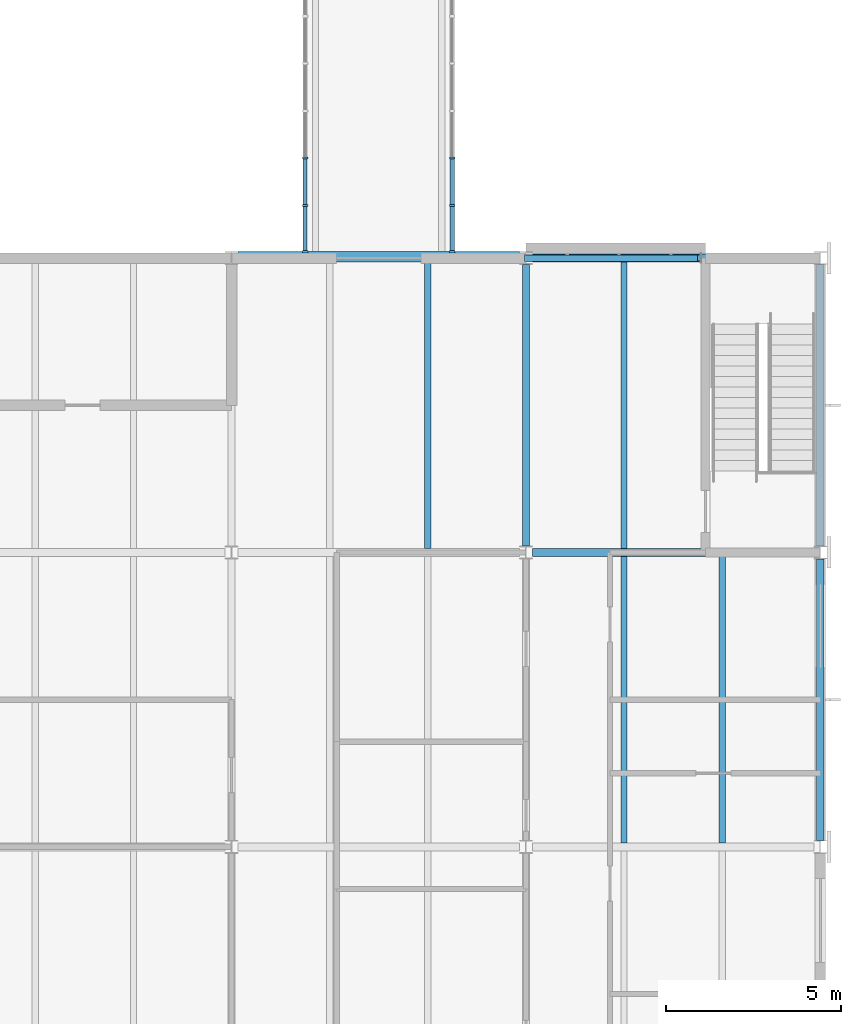
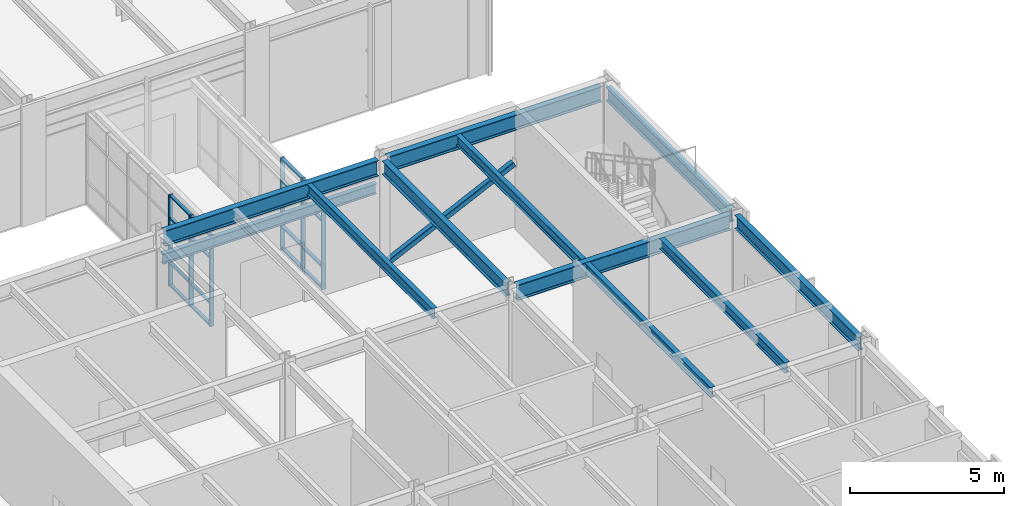
# One storey, part 49 of 127: 23 members, 11 beams, 2 elements without a shape of their own.
"""IFC4 building model written with IfcOpenShell, lengths in metres."""

from ifc_helpers import new_model, si_unit, direction, frame, origin, origin_2d, place, context, subcontext, project, spatial, rectangle, hollow_rectangle, i_section, extrude, material, material_profile, profile_set, type_object, element, aggregate, save


model = new_model("IFC4")

# Units and contexts
model_context = context("Model", 3, precision=1e-05, world=origin(), true_north=direction((0.0, 1.0)))
body_context = subcontext(model_context, "Body", "Model", "MODEL_VIEW")
ifc_project = project(units=[si_unit("LENGTHUNIT", "METRE"), si_unit("AREAUNIT", "SQUARE_METRE"), si_unit("VOLUMEUNIT", "CUBIC_METRE"), si_unit("PLANEANGLEUNIT", "RADIAN"), si_unit("MASSUNIT", "GRAM", prefix="KILO")], contexts=[model_context])

# Site, building, storey
site_placement = place(None, origin())
site = spatial("IfcSite", under=ifc_project, at=site_placement, CompositionType="ELEMENT")
building_placement = place(site_placement, origin())
building = spatial("IfcBuilding", under=site, at=building_placement, Name="Ljudholm Concert House", CompositionType="ELEMENT")
storey_placement = place(building_placement, frame((0.0, 0.0, 5.39990234375)))
storey = spatial("IfcBuildingStorey", under=building, at=storey_placement, Name="L01", CompositionType="ELEMENT", Elevation=5.39990234375)

# Curtain wall, members
ifc_material_1 = material(Name="Aluminium curtain wall with impact-rated laminated glass", Category="aluminium")
curtain_wall_type = type_object("IfcCurtainWallType", Name="CURTAIN WALL 1350", PredefinedType="NOTDEFINED", material=ifc_material_1)
curtain_wall_1_placement = place(storey_placement, origin())
curtain_wall_1 = element("IfcCurtainWall", 1, at=curtain_wall_1_placement, inside=storey, type_object=curtain_wall_type, Name="Bridge curtain wall", PredefinedType="NOTDEFINED")
ifc_material_2 = material(Name="Aluminium extrusion", Category="aluminium")
ifc_material_profile_1 = material_profile(ifc_material_2, rectangle(XDim=0.159912109375, YDim=0.06005859375, at=origin_2d()), Name="MULLION 60x160")
ifc_profile_set_1 = profile_set([ifc_material_profile_1], Name="Aluminium extrusion")
member_type_1 = type_object("IfcMemberType", Name="MULLION 60x160", PredefinedType="MULLION", material=ifc_profile_set_1)
member_1_placement = place(storey_placement, frame((106.89990234375, 96.580078125, 0.0), z_axis=(0.0, 0.0, 1.0), x_axis=(-1.0, 0.0, 0.0)))
member_1 = element("IfcMember", 2, at=member_1_placement, type_object=member_type_1, Name="Mullion", PredefinedType="MULLION", context=body_context, shape_type="SweptSolid", body=[
    extrude(rectangle(XDim=0.159912109375, YDim=0.06005859375, at=origin_2d()), origin(), (0.0, 0.0, 1.0), 3.6201171875),
])
member_2_placement = place(storey_placement, frame((106.89990234375, 97.89990234375, 0.0), z_axis=(0.0, 0.0, 1.0), x_axis=(-1.0, 0.0, 0.0)))
member_2 = element("IfcMember", 3, at=member_2_placement, type_object=member_type_1, Name="Mullion", PredefinedType="MULLION", context=body_context, shape_type="SweptSolid", body=[
    extrude(rectangle(XDim=0.159912109375, YDim=0.06005859375, at=origin_2d()), origin(), (0.0, 0.0, 1.0), 3.6201171875),
])
member_3_placement = place(storey_placement, frame((106.89990234375, 99.25, 0.0), z_axis=(0.0, 0.0, 1.0), x_axis=(-1.0, 0.0, 0.0)))
member_3 = element("IfcMember", 4, at=member_3_placement, type_object=member_type_1, Name="Mullion", PredefinedType="MULLION", context=body_context, shape_type="SweptSolid", body=[
    extrude(rectangle(XDim=0.159912109375, YDim=0.06005859375, at=origin_2d()), origin(), (0.0, 0.0, 1.0), 3.6201171875),
])

curtain_wall_2_placement = place(storey_placement, origin())
curtain_wall_2 = element("IfcCurtainWall", 5, at=curtain_wall_2_placement, inside=storey, type_object=curtain_wall_type, Name="Bridge curtain wall", PredefinedType="NOTDEFINED")
member_4_placement = place(storey_placement, frame((111.10009765625, 96.580078125, 0.0), z_axis=(0.0, 0.0, 1.0), x_axis=(-1.0, 0.0, 0.0)))
member_4 = element("IfcMember", 6, at=member_4_placement, type_object=member_type_1, Name="Mullion", PredefinedType="MULLION", context=body_context, shape_type="SweptSolid", body=[
    extrude(rectangle(XDim=0.159912109375, YDim=0.06005859375, at=origin_2d()), origin(), (0.0, 0.0, 1.0), 3.6201171875),
])
member_5_placement = place(storey_placement, frame((111.10009765625, 97.89990234375, 0.0), z_axis=(0.0, 0.0, 1.0), x_axis=(-1.0, 0.0, 0.0)))
member_5 = element("IfcMember", 7, at=member_5_placement, type_object=member_type_1, Name="Mullion", PredefinedType="MULLION", context=body_context, shape_type="SweptSolid", body=[
    extrude(rectangle(XDim=0.159912109375, YDim=0.06005859375, at=origin_2d()), origin(), (0.0, 0.0, 1.0), 3.6201171875),
])
member_6_placement = place(storey_placement, frame((111.10009765625, 99.25, 0.0), z_axis=(0.0, 0.0, 1.0), x_axis=(-1.0, 0.0, 0.0)))
member_6 = element("IfcMember", 8, at=member_6_placement, type_object=member_type_1, Name="Mullion", PredefinedType="MULLION", context=body_context, shape_type="SweptSolid", body=[
    extrude(rectangle(XDim=0.159912109375, YDim=0.06005859375, at=origin_2d()), origin(), (0.0, 0.0, 1.0), 3.6201171875),
])

# Beams
ifc_material_3 = material(Name="Steel ASTM A992", Category="steel")
ifc_material_profile_2 = material_profile(ifc_material_3, i_section(OverallWidth=0.177734375, OverallDepth=0.406494140625, WebThickness=0.0078125, FlangeThickness=0.012939453125, FilletRadius=0.01025390625, at=origin_2d()), Name="W16X40")
ifc_profile_set_2 = profile_set([ifc_material_profile_2], Name="Steel ASTM A992")
beam_type_1 = type_object("IfcBeamType", Name="STEEL BEAM W16X40", PredefinedType="BEAM", material=ifc_profile_set_2)
for number, where, z_axis, x_axis, name in (
    (9, (110.39990234375, 88.114501953125, 4.4169921875), (0.0, 1.0, 0.0), (-1.0, 0.0, 0.0), "Beam BOH-L02-sb-110.4-88"),
    (10, (116.0, 79.714599609375, 4.4169921875), (0.0, 1.0, 0.0), (-1.0, 0.0, 0.0), "Beam BOH-L02-sb-116-79.6"),
    (11, (118.800048828125, 79.714599609375, 4.4169921875), (0.0, 1.0, 0.0), (-1.0, 0.0, 0.0), "Beam BOH-L02-sb-118.8-79.6"),
    (12, (116.0, 88.114501953125, 4.4169921875), (0.0, 1.0, 0.0), (-1.0, 0.0, 0.0), "Beam BOH-L02-sb-116-88"),
):
    element("IfcBeam", number, at=place(storey_placement, frame(where, z_axis=z_axis, x_axis=x_axis)), inside=storey, type_object=beam_type_1, Name=name, PredefinedType="BEAM", context=body_context, shape_type="SweptSolid", body=[
        extrude(i_section(OverallWidth=0.177734375, OverallDepth=0.406494140625, WebThickness=0.0078125, FlangeThickness=0.012939453125, FilletRadius=0.01025390625, at=origin_2d()), origin(), (0.0, 0.0, 1.0), 8.1708984375),
    ])
beam_1_placement = place(storey_placement, frame((104.986572265625, 96.5, 3.4169921875), z_axis=(1.0, 0.0, 0.0), x_axis=(0.0, 1.0, 0.0)))
element("IfcBeam", 13, at=beam_1_placement, inside=storey, type_object=beam_type_1, Name="Bridge bearing beam", PredefinedType="BEAM", context=body_context, shape_type="SweptSolid", body=[
    extrude(i_section(OverallWidth=0.177734375, OverallDepth=0.406494140625, WebThickness=0.0078125, FlangeThickness=0.012939453125, FilletRadius=0.01025390625, at=origin_2d()), origin(), (0.0, 0.0, 1.0), 8.02685546875),
])
ifc_material_4 = material(Name="Steel ASTM A992", Category="steel")
ifc_material_profile_3 = material_profile(ifc_material_4, i_section(OverallWidth=0.209228515625, OverallDepth=0.533447265625, WebThickness=0.01025390625, FlangeThickness=0.015625, FilletRadius=0.012939453125, at=origin_2d()), Name="W21X62")
ifc_profile_set_3 = profile_set([ifc_material_profile_3], Name="Steel ASTM A992")
beam_type_2 = type_object("IfcBeamType", Name="STEEL BEAM W21X62", PredefinedType="BEAM", material=ifc_profile_set_3)
for number, where, z_axis, x_axis, name in (
    (14, (113.199951171875, 88.186767578125, 4.353515625), (0.0, 1.0, 0.0), (-1.0, 0.0, 0.0), "Beam BOH-L02-gy-113.2-88"),
    (15, (121.60009765625, 79.78662109375, 4.353515625), (0.0, 1.0, 0.0), (-1.0, 0.0, 0.0), "Beam BOH-L02-gy-121.6-79.6"),
    (16, (121.60009765625, 88.186767578125, 4.353515625), (0.0, 1.0, 0.0), (-1.0, 0.0, 0.0), "Beam BOH-L02-gy-121.6-88"),
):
    element("IfcBeam", number, at=place(storey_placement, frame(where, z_axis=z_axis, x_axis=x_axis)), inside=storey, type_object=beam_type_2, Name=name, PredefinedType="BEAM", context=body_context, shape_type="SweptSolid", body=[
        extrude(i_section(OverallWidth=0.209228515625, OverallDepth=0.533447265625, WebThickness=0.01025390625, FlangeThickness=0.015625, FilletRadius=0.012939453125, at=origin_2d()), origin(), (0.0, 0.0, 1.0), 8.026611328125),
    ])
ifc_material_5 = material(Name="Steel ASTM A992", Category="steel")
ifc_material_profile_4 = material_profile(ifc_material_5, i_section(OverallWidth=0.22900390625, OverallDepth=0.612060546875, WebThickness=0.011962890625, FlangeThickness=0.01953125, FilletRadius=0.0126953125, at=origin_2d()), Name="W24X84")
ifc_profile_set_4 = profile_set([ifc_material_profile_4], Name="Steel ASTM A992")
beam_type_3 = type_object("IfcBeamType", Name="STEEL BEAM W24X84", PredefinedType="BEAM", material=ifc_profile_set_4)
beam_2_placement = place(storey_placement, frame((113.38671875, 88.0, 4.31396484375), z_axis=(1.0, 0.0, 0.0), x_axis=(0.0, 1.0, 0.0)))
element("IfcBeam", 17, at=beam_2_placement, inside=storey, type_object=beam_type_3, Name="Beam BOH-L02-gx-113.2-88", PredefinedType="BEAM", context=body_context, shape_type="SweptSolid", body=[
    extrude(i_section(OverallWidth=0.22900390625, OverallDepth=0.612060546875, WebThickness=0.011962890625, FlangeThickness=0.01953125, FilletRadius=0.0126953125, at=origin_2d()), origin(), (0.0, 0.0, 1.0), 8.026611328125),
])
beam_3_placement = place(storey_placement, frame((104.986572265625, 96.39990234375, 4.31396484375), z_axis=(1.0, 0.0, 0.0), x_axis=(0.0, 1.0, 0.0)))
element("IfcBeam", 18, at=beam_3_placement, inside=storey, type_object=beam_type_3, Name="Beam BOH-L02-gx-104.8-96.4", PredefinedType="BEAM", context=body_context, shape_type="SweptSolid", body=[
    extrude(i_section(OverallWidth=0.22900390625, OverallDepth=0.612060546875, WebThickness=0.011962890625, FlangeThickness=0.01953125, FilletRadius=0.0126953125, at=origin_2d()), origin(), (0.0, 0.0, 1.0), 8.02685546875),
])
beam_4_placement = place(storey_placement, frame((113.38671875, 96.39990234375, 4.31396484375), z_axis=(1.0, 0.0, 0.0), x_axis=(0.0, 1.0, 0.0)))
element("IfcBeam", 19, at=beam_4_placement, inside=storey, type_object=beam_type_3, Name="Beam BOH-L02-gx-113.2-96.4", PredefinedType="BEAM", context=body_context, shape_type="SweptSolid", body=[
    extrude(i_section(OverallWidth=0.22900390625, OverallDepth=0.612060546875, WebThickness=0.011962890625, FlangeThickness=0.01953125, FilletRadius=0.0126953125, at=origin_2d()), origin(), (0.0, 0.0, 1.0), 8.026611328125),
])

# Member
ifc_material_6 = material(Name="Steel ASTM A500 Gr. C", Category="steel")
ifc_material_profile_5 = material_profile(ifc_material_6, hollow_rectangle(XDim=0.203125, YDim=0.203125, WallThickness=0.01171875, InnerFilletRadius=0.005859375, OuterFilletRadius=0.017822265625, at=origin_2d()), Name="HSS8X8X1/2")
ifc_profile_set_5 = profile_set([ifc_material_profile_5], Name="Steel ASTM A500 Gr. C")
member_type_2 = type_object("IfcMemberType", Name="STEEL MEMBER HSS8X8X1/2 BRACE", PredefinedType="BRACE", material=ifc_profile_set_5)
member_7_placement = place(storey_placement, frame((113.199951171875, 96.39990234375, 0.300048828125), z_axis=(0.90202329703, 0.0, 0.431687354012), x_axis=(0.0, 1.0, 0.0)))
element("IfcMember", 20, at=member_7_placement, inside=storey, type_object=member_type_2, Name="Brace", PredefinedType="BRACE", context=body_context, shape_type="SweptSolid", body=[
    extrude(hollow_rectangle(XDim=0.203125, YDim=0.203125, WallThickness=0.01171875, InnerFilletRadius=0.005859375, OuterFilletRadius=0.017822265625, at=origin_2d()), origin(), (0.0, 0.0, 1.0), 5.476806640625),
])

ifc_material_7 = material(Name="Aluminium extrusion", Category="aluminium")
ifc_material_profile_6 = material_profile(ifc_material_7, rectangle(XDim=0.1201171875, YDim=0.06005859375, at=origin_2d()), Name="TRANSOM 60x120")
ifc_profile_set_6 = profile_set([ifc_material_profile_6], Name="Aluminium extrusion")
member_type_3 = type_object("IfcMemberType", Name="TRANSOM 60x120", PredefinedType="USERDEFINED", material=ifc_profile_set_6)
member_8_placement = place(storey_placement, frame((106.89990234375, 96.610107421875, 0.030029296875), z_axis=(0.0, 1.0, 0.0), x_axis=(-1.0, 0.0, 0.0)))
member_8 = element("IfcMember", 21, at=member_8_placement, type_object=member_type_3, Name="Transom", ObjectType="TRANSOM", PredefinedType="USERDEFINED", context=body_context, shape_type="SweptSolid", body=[
    extrude(rectangle(XDim=0.1201171875, YDim=0.06005859375, at=origin_2d()), origin(), (0.0, 0.0, 1.0), 1.260009765625),
])

member_9_placement = place(storey_placement, frame((106.89990234375, 96.610107421875, 0.900146484375), z_axis=(0.0, 1.0, 0.0), x_axis=(-1.0, 0.0, 0.0)))
member_9 = element("IfcMember", 22, at=member_9_placement, type_object=member_type_3, Name="Transom", ObjectType="TRANSOM", PredefinedType="USERDEFINED", context=body_context, shape_type="SweptSolid", body=[
    extrude(rectangle(XDim=0.1201171875, YDim=0.06005859375, at=origin_2d()), origin(), (0.0, 0.0, 1.0), 1.260009765625),
])

member_10_placement = place(storey_placement, frame((106.89990234375, 96.610107421875, 2.7001953125), z_axis=(0.0, 1.0, 0.0), x_axis=(-1.0, 0.0, 0.0)))
member_10 = element("IfcMember", 23, at=member_10_placement, type_object=member_type_3, Name="Transom", ObjectType="TRANSOM", PredefinedType="USERDEFINED", context=body_context, shape_type="SweptSolid", body=[
    extrude(rectangle(XDim=0.1201171875, YDim=0.06005859375, at=origin_2d()), origin(), (0.0, 0.0, 1.0), 1.260009765625),
])

member_11_placement = place(storey_placement, frame((106.89990234375, 96.610107421875, 3.590087890625), z_axis=(0.0, 1.0, 0.0), x_axis=(-1.0, 0.0, 0.0)))
member_11 = element("IfcMember", 24, at=member_11_placement, type_object=member_type_3, Name="Transom", ObjectType="TRANSOM", PredefinedType="USERDEFINED", context=body_context, shape_type="SweptSolid", body=[
    extrude(rectangle(XDim=0.1201171875, YDim=0.06005859375, at=origin_2d()), origin(), (0.0, 0.0, 1.0), 1.260009765625),
])

member_12_placement = place(storey_placement, frame((106.89990234375, 97.929931640625, 0.030029296875), z_axis=(0.0, 1.0, 0.0), x_axis=(-1.0, 0.0, 0.0)))
member_12 = element("IfcMember", 25, at=member_12_placement, type_object=member_type_3, Name="Transom", ObjectType="TRANSOM", PredefinedType="USERDEFINED", context=body_context, shape_type="SweptSolid", body=[
    extrude(rectangle(XDim=0.1201171875, YDim=0.06005859375, at=origin_2d()), origin(), (0.0, 0.0, 1.0), 1.2900390625),
])

member_13_placement = place(storey_placement, frame((106.89990234375, 97.929931640625, 0.900146484375), z_axis=(0.0, 1.0, 0.0), x_axis=(-1.0, 0.0, 0.0)))
member_13 = element("IfcMember", 26, at=member_13_placement, type_object=member_type_3, Name="Transom", ObjectType="TRANSOM", PredefinedType="USERDEFINED", context=body_context, shape_type="SweptSolid", body=[
    extrude(rectangle(XDim=0.1201171875, YDim=0.06005859375, at=origin_2d()), origin(), (0.0, 0.0, 1.0), 1.2900390625),
])

member_14_placement = place(storey_placement, frame((106.89990234375, 97.929931640625, 2.7001953125), z_axis=(0.0, 1.0, 0.0), x_axis=(-1.0, 0.0, 0.0)))
member_14 = element("IfcMember", 27, at=member_14_placement, type_object=member_type_3, Name="Transom", ObjectType="TRANSOM", PredefinedType="USERDEFINED", context=body_context, shape_type="SweptSolid", body=[
    extrude(rectangle(XDim=0.1201171875, YDim=0.06005859375, at=origin_2d()), origin(), (0.0, 0.0, 1.0), 1.2900390625),
])

member_15_placement = place(storey_placement, frame((106.89990234375, 97.929931640625, 3.590087890625), z_axis=(0.0, 1.0, 0.0), x_axis=(-1.0, 0.0, 0.0)))
member_15 = element("IfcMember", 28, at=member_15_placement, type_object=member_type_3, Name="Transom", ObjectType="TRANSOM", PredefinedType="USERDEFINED", context=body_context, shape_type="SweptSolid", body=[
    extrude(rectangle(XDim=0.1201171875, YDim=0.06005859375, at=origin_2d()), origin(), (0.0, 0.0, 1.0), 1.2900390625),
])

aggregate(curtain_wall_1, [member_1, member_2, member_3, member_8, member_9, member_10, member_11, member_12, member_13, member_14, member_15])

member_16_placement = place(storey_placement, frame((111.10009765625, 96.610107421875, 0.030029296875), z_axis=(0.0, 1.0, 0.0), x_axis=(-1.0, 0.0, 0.0)))
member_16 = element("IfcMember", 29, at=member_16_placement, type_object=member_type_3, Name="Transom", ObjectType="TRANSOM", PredefinedType="USERDEFINED", context=body_context, shape_type="SweptSolid", body=[
    extrude(rectangle(XDim=0.1201171875, YDim=0.06005859375, at=origin_2d()), origin(), (0.0, 0.0, 1.0), 1.260009765625),
])

member_17_placement = place(storey_placement, frame((111.10009765625, 96.610107421875, 0.900146484375), z_axis=(0.0, 1.0, 0.0), x_axis=(-1.0, 0.0, 0.0)))
member_17 = element("IfcMember", 30, at=member_17_placement, type_object=member_type_3, Name="Transom", ObjectType="TRANSOM", PredefinedType="USERDEFINED", context=body_context, shape_type="SweptSolid", body=[
    extrude(rectangle(XDim=0.1201171875, YDim=0.06005859375, at=origin_2d()), origin(), (0.0, 0.0, 1.0), 1.260009765625),
])

member_18_placement = place(storey_placement, frame((111.10009765625, 96.610107421875, 2.7001953125), z_axis=(0.0, 1.0, 0.0), x_axis=(-1.0, 0.0, 0.0)))
member_18 = element("IfcMember", 31, at=member_18_placement, type_object=member_type_3, Name="Transom", ObjectType="TRANSOM", PredefinedType="USERDEFINED", context=body_context, shape_type="SweptSolid", body=[
    extrude(rectangle(XDim=0.1201171875, YDim=0.06005859375, at=origin_2d()), origin(), (0.0, 0.0, 1.0), 1.260009765625),
])

member_19_placement = place(storey_placement, frame((111.10009765625, 96.610107421875, 3.590087890625), z_axis=(0.0, 1.0, 0.0), x_axis=(-1.0, 0.0, 0.0)))
member_19 = element("IfcMember", 32, at=member_19_placement, type_object=member_type_3, Name="Transom", ObjectType="TRANSOM", PredefinedType="USERDEFINED", context=body_context, shape_type="SweptSolid", body=[
    extrude(rectangle(XDim=0.1201171875, YDim=0.06005859375, at=origin_2d()), origin(), (0.0, 0.0, 1.0), 1.260009765625),
])

member_20_placement = place(storey_placement, frame((111.10009765625, 97.929931640625, 0.030029296875), z_axis=(0.0, 1.0, 0.0), x_axis=(-1.0, 0.0, 0.0)))
member_20 = element("IfcMember", 33, at=member_20_placement, type_object=member_type_3, Name="Transom", ObjectType="TRANSOM", PredefinedType="USERDEFINED", context=body_context, shape_type="SweptSolid", body=[
    extrude(rectangle(XDim=0.1201171875, YDim=0.06005859375, at=origin_2d()), origin(), (0.0, 0.0, 1.0), 1.2900390625),
])

member_21_placement = place(storey_placement, frame((111.10009765625, 97.929931640625, 0.900146484375), z_axis=(0.0, 1.0, 0.0), x_axis=(-1.0, 0.0, 0.0)))
member_21 = element("IfcMember", 34, at=member_21_placement, type_object=member_type_3, Name="Transom", ObjectType="TRANSOM", PredefinedType="USERDEFINED", context=body_context, shape_type="SweptSolid", body=[
    extrude(rectangle(XDim=0.1201171875, YDim=0.06005859375, at=origin_2d()), origin(), (0.0, 0.0, 1.0), 1.2900390625),
])

member_22_placement = place(storey_placement, frame((111.10009765625, 97.929931640625, 2.7001953125), z_axis=(0.0, 1.0, 0.0), x_axis=(-1.0, 0.0, 0.0)))
member_22 = element("IfcMember", 35, at=member_22_placement, type_object=member_type_3, Name="Transom", ObjectType="TRANSOM", PredefinedType="USERDEFINED", context=body_context, shape_type="SweptSolid", body=[
    extrude(rectangle(XDim=0.1201171875, YDim=0.06005859375, at=origin_2d()), origin(), (0.0, 0.0, 1.0), 1.2900390625),
])

member_23_placement = place(storey_placement, frame((111.10009765625, 97.929931640625, 3.590087890625), z_axis=(0.0, 1.0, 0.0), x_axis=(-1.0, 0.0, 0.0)))
member_23 = element("IfcMember", 36, at=member_23_placement, type_object=member_type_3, Name="Transom", ObjectType="TRANSOM", PredefinedType="USERDEFINED", context=body_context, shape_type="SweptSolid", body=[
    extrude(rectangle(XDim=0.1201171875, YDim=0.06005859375, at=origin_2d()), origin(), (0.0, 0.0, 1.0), 1.2900390625),
])

aggregate(curtain_wall_2, [member_4, member_5, member_6, member_16, member_17, member_18, member_19, member_20, member_21, member_22, member_23])

save(model, "model.ifc")
